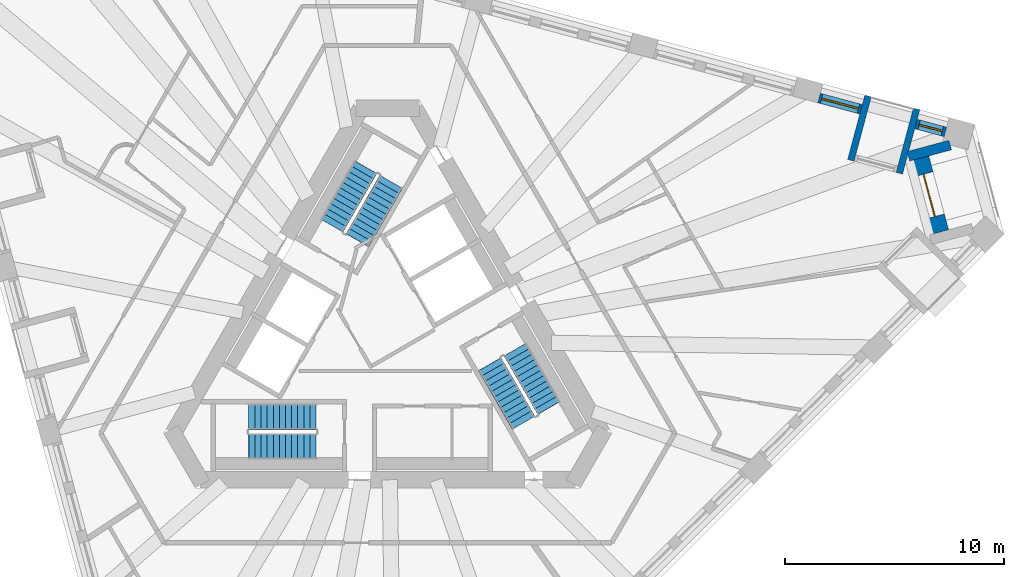
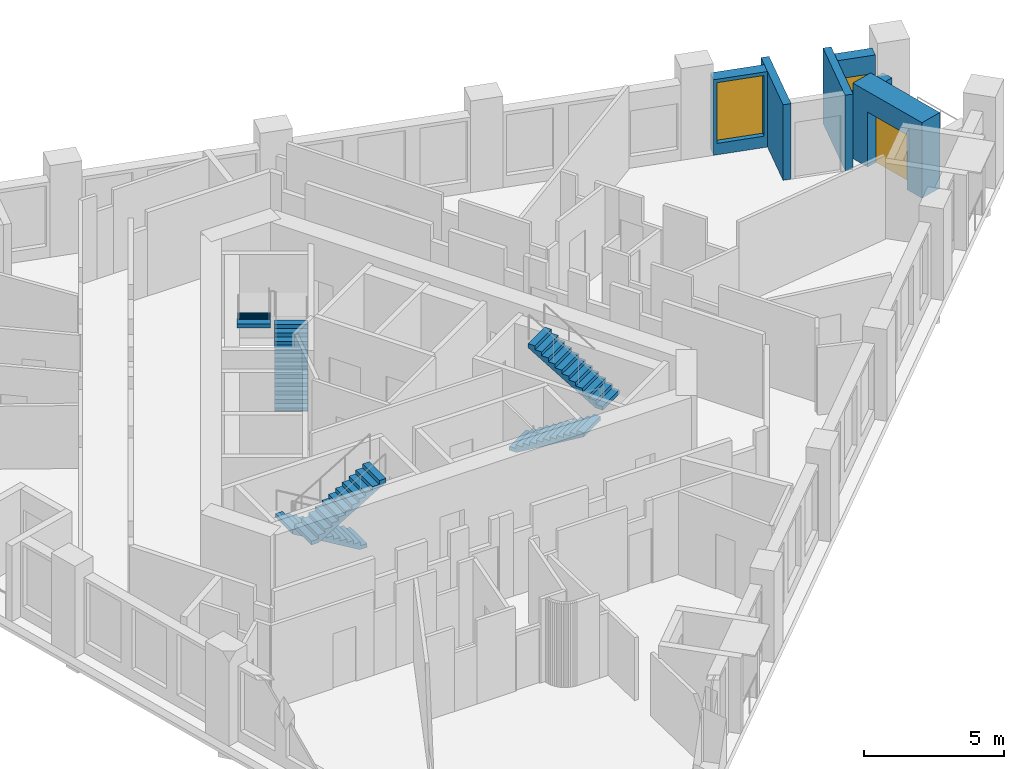
# One storey, part 9 of 13: 6 stair flights, 6 walls, 2 windows, 1 door, 3 openings, 3 elements without a shape of their own.
"""IFC4 building model written with IfcOpenShell, lengths in metres."""

from ifc_helpers import new_model, si_unit, direction, frame, frame_2d, origin, place, context, subcontext, project, spatial, polyline, rectangle, outline, extrude, material, layer, layer_set, type_object, element, fill, aggregate, save


model = new_model("IFC4")

# Units and contexts
model_context = context("Model", 3, precision=1e-05, world=origin(), true_north=direction((0.0, 1.0)))
body_context = subcontext(model_context, "Body", "Model", "MODEL_VIEW")
ifc_project = project(units=[si_unit("LENGTHUNIT", "METRE"), si_unit("AREAUNIT", "SQUARE_METRE"), si_unit("VOLUMEUNIT", "CUBIC_METRE"), si_unit("PLANEANGLEUNIT", "RADIAN"), si_unit("MASSUNIT", "GRAM", prefix="KILO")], contexts=[model_context])

# Site, building, storey
site_placement = place(None, origin())
site = spatial("IfcSite", under=ifc_project, at=site_placement, CompositionType="ELEMENT")
building_placement = place(site_placement, origin())
building = spatial("IfcBuilding", under=site, at=building_placement, Name="Tramontana Tower", CompositionType="ELEMENT")
storey_placement = place(building_placement, frame((0.0, 0.0, 216.0)))
storey = spatial("IfcBuildingStorey", under=building, at=storey_placement, Name="L50", CompositionType="ELEMENT", Elevation=216.0)

# Wall, opening, window
ifc_material_1 = material(Name="Precast concrete 60 MPa", Category="concrete")
ifc_layer_1 = layer(ifc_material_1, 0.449951171875)
ifc_layer_set_1 = layer_set([ifc_layer_1], Name="Precast concrete 60 MPa, 450 mm")
wall_type_1 = type_object("IfcWallType", Name="EW1 Stone-faced precast wall 450", PredefinedType="SOLIDWALL", material=ifc_layer_set_1)
wall_1_placement = place(storey_placement, frame((25.522705078125, 9.54443359375, 0.0), z_axis=(0.0, 0.0, 1.0), x_axis=(-0.965938699585, 0.258770996527, 0.0)))
wall_1 = element("IfcWall", 1, at=wall_1_placement, inside=storey, type_object=wall_type_1, Name="External wall L50 face 2 bay 1", PredefinedType="SOLIDWALL", context=body_context, shape_type="SweptSolid", body=[
    extrude(rectangle(XDim=1.398193359375, YDim=0.449951171875, at=frame_2d((0.69921875, 0.0))), origin(), (0.0, 0.0, 1.0), 3.300048828125),
])
opening_1_placement = place(wall_1_placement, frame((0.14892578125, 0.0, 0.5)))
opening_1 = element("IfcOpeningElement", 2, at=opening_1_placement, cuts=wall_1, Name="Opening N2L", PredefinedType="OPENING", context=body_context, shape_type="SweptSolid", body=[
    extrude(rectangle(XDim=1.10009765625, YDim=2.0, at=frame_2d((0.550048828125, 1.0))), frame((0.0, 0.23486328125, 0.0), z_axis=(0.0, -1.0, 0.0), x_axis=(1.0, 0.0, 0.0)), (0.0, 0.0, 1.0), 0.469970703125),
])
ifc_material_2 = material(Name="Aluminum frame, double glazing unit", Category="aluminium")
window_type_1 = type_object("IfcWindowType", Name="N2L Window 1.1 x 2", PartitioningType="SINGLE_PANEL", PredefinedType="WINDOW", material=ifc_material_2)
window_1_placement = place(opening_1_placement, origin())
window_1 = element("IfcWindow", 3, at=window_1_placement, inside=storey, type_object=window_type_1, Name="Window N2L L50 face 2 module 1", OverallHeight=2.0, OverallWidth=1.10009765625, PartitioningType="SINGLE_PANEL", PredefinedType="WINDOW", context=body_context, shape_type="SweptSolid", body=[
    extrude(rectangle(XDim=1.10009765625, YDim=2.0, at=frame_2d((0.550048828125, 1.0))), frame((0.0, 0.030029296875, 0.0), z_axis=(0.0, -1.0, 0.0), x_axis=(1.0, 0.0, 0.0)), (0.0, 0.0, 1.0), 0.06005859375),
])
fill(opening_1, window_1)

wall_2_placement = place(storey_placement, frame((21.66259765625, 10.578857421875, 0.0), z_axis=(0.0, 0.0, 1.0), x_axis=(-0.96593005298, 0.258803270362, 0.0)))
wall_2 = element("IfcWall", 4, at=wall_2_placement, inside=storey, type_object=wall_type_1, Name="External wall L50 face 2 bay 1", PredefinedType="SOLIDWALL", context=body_context, shape_type="SweptSolid", body=[
    extrude(rectangle(XDim=1.998046875, YDim=0.449951171875, at=frame_2d((0.9990234375, 0.0))), origin(), (0.0, 0.0, 1.0), 3.300048828125),
])
opening_2_placement = place(wall_2_placement, frame((0.1240234375, 0.0, 0.5)))
opening_2 = element("IfcOpeningElement", 5, at=opening_2_placement, cuts=wall_2, Name="Opening M2", PredefinedType="OPENING", context=body_context, shape_type="SweptSolid", body=[
    extrude(rectangle(XDim=1.75, YDim=2.64990234375, at=frame_2d((0.875, 1.324951171875))), frame((0.0, 0.23486328125, 0.0), z_axis=(0.0, -1.0, 0.0), x_axis=(1.0, 0.0, 0.0)), (0.0, 0.0, 1.0), 0.469970703125),
])
ifc_material_3 = material(Name="Aluminum frame, double glazing unit", Category="aluminium")
window_type_2 = type_object("IfcWindowType", Name="M2 Window 1.75 x 2.65", PartitioningType="SINGLE_PANEL", PredefinedType="WINDOW", material=ifc_material_3)
window_2_placement = place(opening_2_placement, origin())
window_2 = element("IfcWindow", 6, at=window_2_placement, inside=storey, type_object=window_type_2, Name="Window M2 L50 face 2 module 3", OverallHeight=2.64990234375, OverallWidth=1.75, PartitioningType="SINGLE_PANEL", PredefinedType="WINDOW", context=body_context, shape_type="SweptSolid", body=[
    extrude(rectangle(XDim=1.75, YDim=2.64990234375, at=frame_2d((0.875, 1.324951171875))), frame((0.0, 0.030029296875, 0.0), z_axis=(0.0, -1.0, 0.0), x_axis=(1.0, 0.0, 0.0)), (0.0, 0.0, 1.0), 0.06005859375),
])
fill(opening_2, window_2)

# Wall
wall_3_placement = place(storey_placement, frame((25.741943359375, 8.942138671875, 0.0), z_axis=(0.0, 0.0, 1.0), x_axis=(-0.965935388955, -0.258783354109, 0.0)))
element("IfcWall", 7, at=wall_3_placement, inside=storey, type_object=wall_type_1, Name="Corner loggia side wall L50 K52l", PredefinedType="SOLIDWALL", context=body_context, shape_type="SweptSolid", body=[
    extrude(rectangle(XDim=1.979248046875, YDim=0.449951171875, at=frame_2d((0.98974609375, 0.0))), origin(), (0.0, 0.0, 1.0), 2.550048828125),
])

# Wall, opening, door
ifc_material_4 = material(Name="Precast concrete 60 MPa", Category="concrete")
ifc_layer_2 = layer(ifc_material_4, 0.89990234375)
ifc_layer_set_2 = layer_set([ifc_layer_2], Name="EW2 Stone-faced corner loggia wall 900")
wall_type_2 = type_object("IfcWallType", Name="EW2 Stone-faced corner loggia wall 900", PredefinedType="SOLIDWALL", material=ifc_layer_set_2)
wall_4_placement = place(storey_placement, frame((24.322998046875, 8.3291015625, 0.0), z_axis=(0.0, 0.0, 1.0), x_axis=(0.258847652622, -0.965918160473, 0.0)))
wall_4 = element("IfcWall", 8, at=wall_4_placement, inside=storey, type_object=wall_type_2, Name="Corner loggia wall L50 K52", PredefinedType="SOLIDWALL", context=body_context, shape_type="SweptSolid", body=[
    extrude(rectangle(XDim=3.500244140625, YDim=0.89990234375, at=frame_2d((1.75, 0.0))), origin(), (0.0, 0.0, 1.0), 3.300048828125),
])
opening_3_placement = place(wall_4_placement, frame((0.75, 0.0, 0.0)))
opening_3 = element("IfcOpeningElement", 9, at=opening_3_placement, cuts=wall_4, Name="Opening BD-52C", PredefinedType="OPENING", context=body_context, shape_type="SweptSolid", body=[
    extrude(rectangle(XDim=2.0, YDim=2.39990234375, at=frame_2d((1.0, 1.199951171875))), frame((0.0, 0.4599609375, 0.0), z_axis=(0.0, -1.0, 0.0), x_axis=(1.0, 0.0, 0.0)), (0.0, 0.0, 1.0), 0.919921875),
])
ifc_material_5 = material(Name="Aluminum frame, double glazing unit", Category="aluminium")
door_type = type_object("IfcDoorType", Name="BC1 Sliding door 2 x 2.4", OperationType="SLIDING_TO_LEFT", PredefinedType="DOOR", material=ifc_material_5)
door_placement = place(opening_3_placement, origin())
door = element("IfcDoor", 10, at=door_placement, inside=storey, type_object=door_type, Name="Corner loggia door L50 K52", OperationType="SLIDING_TO_LEFT", OverallHeight=2.39990234375, OverallWidth=2.0, PredefinedType="DOOR", context=body_context, shape_type="SweptSolid", body=[
    extrude(rectangle(XDim=2.0, YDim=2.39990234375, at=frame_2d((1.0, 1.199951171875))), frame((0.0, 0.02490234375, 0.0), z_axis=(0.0, -1.0, 0.0), x_axis=(1.0, 0.0, 0.0)), (0.0, 0.0, 1.0), 0.050048828125),
])
fill(opening_3, door)

# Walls
ifc_material_6 = material(Name="Precast concrete 60 MPa", Category="concrete")
ifc_layer_3 = layer(ifc_material_6, 0.300048828125)
ifc_layer_set_3 = layer_set([ifc_layer_3], Name="LW1 Stone-faced loggia wall 300")
wall_type_3 = type_object("IfcWallType", Name="LW1 Stone-faced loggia wall 300", PredefinedType="SOLIDWALL", material=ifc_layer_set_3)
for number, where, z_axis, x_axis, name in (
    (11, (24.201904296875, 10.59716796875, 0.0), (0.0, 0.0, 1.0), (-0.258793435045, -0.965932688119, 0.0), "Loggia return L50 G5S2.1a"),
    (12, (21.982177734375, 11.19189453125, 0.0), (0.0, 0.0, 1.0), (-0.258793435045, -0.965932688119, 0.0), "Loggia return L50 G5S2.1b"),
):
    element("IfcWall", number, at=place(storey_placement, frame(where, z_axis=z_axis, x_axis=x_axis)), inside=storey, type_object=wall_type_3, Name=name, PredefinedType="SOLIDWALL", context=body_context, shape_type="SweptSolid", body=[
        extrude(rectangle(XDim=3.050048828125, YDim=0.300048828125, at=frame_2d((1.52490234375, 0.0))), origin(), (0.0, 0.0, 1.0), 3.300048828125),
    ])

# Stair, stair flights
ifc_material_7 = material(Name="Concrete 40 MPa", Category="concrete")
stair_type = type_object("IfcStairType", Name="EXIT STAIR 24 RISERS", PredefinedType="HALF_TURN_STAIR", material=ifc_material_7)
stair_1_placement = place(storey_placement, origin())
stair_1 = element("IfcStair", 13, at=stair_1_placement, inside=storey, type_object=stair_type, Name="L50 Exit stair ST1", PredefinedType="HALF_TURN_STAIR")
ifc_material_8 = material(Name="Concrete 40 MPa", Category="concrete")
ifc_layer_4 = layer(ifc_material_8, 0.14990234375)
ifc_layer_set_4 = layer_set([ifc_layer_4], Name="EXIT STAIR FLIGHT")
stair_flight_type = type_object("IfcStairFlightType", Name="EXIT STAIR FLIGHT", PredefinedType="STRAIGHT", material=ifc_layer_set_4)
stair_flight_1_placement = place(storey_placement, frame((-1.39111328125, 4.590576171875, 0.0), z_axis=(0.0, 0.0, 1.0), x_axis=(0.5, 0.866025403784, 0.0)))
stair_flight_1 = element("IfcStairFlight", 14, at=stair_flight_1_placement, type_object=stair_flight_type, Name="ST1 flight 1", NumberOfRisers=12, NumberOfTreads=11, PredefinedType="STRAIGHT", RiserHeight=0.166666667, TreadLength=0.28, context=body_context, shape_type="SweptSolid", body=[
    extrude(outline(polyline([(-0.006103515625, 0.0), (-0.006103515625, 0.0400390625), (0.0, 0.0400390625), (0.0, 0.166748046875), (0.280029296875, 0.166748046875), (0.280029296875, 0.333251953125), (0.56005859375, 0.333251953125), (0.56005859375, 0.5), (0.840087890625, 0.5), (0.840087890625, 0.666748046875), (1.1201171875, 0.666748046875), (1.1201171875, 0.833251953125), (1.39990234375, 0.833251953125), (1.39990234375, 1.0), (1.679931640625, 1.0), (1.679931640625, 1.166748046875), (1.9599609375, 1.166748046875), (1.9599609375, 1.333251953125), (2.239990234375, 1.333251953125), (2.239990234375, 1.5), (2.52001953125, 1.5), (2.52001953125, 1.666748046875), (2.800048828125, 1.666748046875), (2.800048828125, 1.833251953125), (3.080078125, 1.833251953125), (3.0859375, 1.833251953125), (3.0859375, 1.658935546875), (0.299072265625, 0.0), (-0.006103515625, 0.0)])), frame((0.0, 0.60009765625, 0.0), z_axis=(0.0, -1.0, 0.0), x_axis=(1.0, 0.0, 0.0)), (0.0, 0.0, 1.0), 1.199951171875),
])
stair_flight_2_placement = place(storey_placement, frame((-1.020263671875, 7.932861328125, 2.0), z_axis=(0.0, 0.0, 1.0), x_axis=(-0.5, -0.866025403784, 0.0)))
stair_flight_2 = element("IfcStairFlight", 15, at=stair_flight_2_placement, type_object=stair_flight_type, Name="ST1 flight 2", NumberOfRisers=12, NumberOfTreads=11, PredefinedType="STRAIGHT", RiserHeight=0.166666667, TreadLength=0.28, context=body_context, shape_type="SweptSolid", body=[
    extrude(outline(polyline([(-0.006103515625, 0.0), (-0.006103515625, 0.0400390625), (0.0, 0.0400390625), (0.0, 0.166748046875), (0.280029296875, 0.166748046875), (0.280029296875, 0.333251953125), (0.56005859375, 0.333251953125), (0.56005859375, 0.5), (0.840087890625, 0.5), (0.840087890625, 0.666748046875), (1.1201171875, 0.666748046875), (1.1201171875, 0.833251953125), (1.39990234375, 0.833251953125), (1.39990234375, 1.0), (1.679931640625, 1.0), (1.679931640625, 1.166748046875), (1.9599609375, 1.166748046875), (1.9599609375, 1.333251953125), (2.239990234375, 1.333251953125), (2.239990234375, 1.5), (2.52001953125, 1.5), (2.52001953125, 1.666748046875), (2.800048828125, 1.666748046875), (2.800048828125, 1.833251953125), (3.080078125, 1.833251953125), (3.0859375, 1.833251953125), (3.0859375, 1.658935546875), (0.299072265625, 0.0), (-0.006103515625, 0.0)])), frame((0.0, 0.60009765625, 0.0), z_axis=(0.0, -1.0, 0.0), x_axis=(1.0, 0.0, 0.0)), (0.0, 0.0, 1.0), 1.199951171875),
])
aggregate(stair_1, [stair_flight_1, stair_flight_2])

stair_2_placement = place(storey_placement, origin())
stair_2 = element("IfcStair", 16, at=stair_2_placement, inside=storey, type_object=stair_type, Name="L50 Exit stair ST2", PredefinedType="HALF_TURN_STAIR")
stair_flight_3_placement = place(storey_placement, frame((-3.280029296875, -3.5, 0.0), z_axis=(0.0, 0.0, 1.0), x_axis=(-1.0, 0.0, 0.0)))
stair_flight_3 = element("IfcStairFlight", 17, at=stair_flight_3_placement, type_object=stair_flight_type, Name="ST2 flight 1", NumberOfRisers=12, NumberOfTreads=11, PredefinedType="STRAIGHT", RiserHeight=0.166666667, TreadLength=0.28, context=body_context, shape_type="SweptSolid", body=[
    extrude(outline(polyline([(-0.006103515625, 0.0), (-0.006103515625, 0.0400390625), (0.0, 0.0400390625), (0.0, 0.166748046875), (0.280029296875, 0.166748046875), (0.280029296875, 0.333251953125), (0.56005859375, 0.333251953125), (0.56005859375, 0.5), (0.840087890625, 0.5), (0.840087890625, 0.666748046875), (1.1201171875, 0.666748046875), (1.1201171875, 0.833251953125), (1.39990234375, 0.833251953125), (1.39990234375, 1.0), (1.679931640625, 1.0), (1.679931640625, 1.166748046875), (1.9599609375, 1.166748046875), (1.9599609375, 1.333251953125), (2.239990234375, 1.333251953125), (2.239990234375, 1.5), (2.52001953125, 1.5), (2.52001953125, 1.666748046875), (2.800048828125, 1.666748046875), (2.800048828125, 1.833251953125), (3.080078125, 1.833251953125), (3.0859375, 1.833251953125), (3.0859375, 1.658935546875), (0.299072265625, 0.0), (-0.006103515625, 0.0)])), frame((0.0, 0.60009765625, 0.0), z_axis=(0.0, -1.0, 0.0), x_axis=(1.0, 0.0, 0.0)), (0.0, 0.0, 1.0), 1.199951171875),
])
stair_flight_4_placement = place(storey_placement, frame((-6.360107421875, -4.85009765625, 2.0), z_axis=(0.0, 0.0, 1.0), x_axis=(1.0, 0.0, 0.0)))
stair_flight_4 = element("IfcStairFlight", 18, at=stair_flight_4_placement, type_object=stair_flight_type, Name="ST2 flight 2", NumberOfRisers=12, NumberOfTreads=11, PredefinedType="STRAIGHT", RiserHeight=0.166666667, TreadLength=0.28, context=body_context, shape_type="SweptSolid", body=[
    extrude(outline(polyline([(-0.006103515625, 0.0), (-0.006103515625, 0.0400390625), (0.0, 0.0400390625), (0.0, 0.166748046875), (0.280029296875, 0.166748046875), (0.280029296875, 0.333251953125), (0.56005859375, 0.333251953125), (0.56005859375, 0.5), (0.840087890625, 0.5), (0.840087890625, 0.666748046875), (1.1201171875, 0.666748046875), (1.1201171875, 0.833251953125), (1.39990234375, 0.833251953125), (1.39990234375, 1.0), (1.679931640625, 1.0), (1.679931640625, 1.166748046875), (1.9599609375, 1.166748046875), (1.9599609375, 1.333251953125), (2.239990234375, 1.333251953125), (2.239990234375, 1.5), (2.52001953125, 1.5), (2.52001953125, 1.666748046875), (2.800048828125, 1.666748046875), (2.800048828125, 1.833251953125), (3.080078125, 1.833251953125), (3.0859375, 1.833251953125), (3.0859375, 1.658935546875), (0.299072265625, 0.0), (-0.006103515625, 0.0)])), frame((0.0, 0.60009765625, 0.0), z_axis=(0.0, -1.0, 0.0), x_axis=(1.0, 0.0, 0.0)), (0.0, 0.0, 1.0), 1.199951171875),
])
aggregate(stair_2, [stair_flight_3, stair_flight_4])

stair_3_placement = place(storey_placement, origin())
stair_3 = element("IfcStair", 19, at=stair_3_placement, inside=storey, type_object=stair_type, Name="L50 Exit stair ST3", PredefinedType="HALF_TURN_STAIR")
stair_flight_5_placement = place(storey_placement, frame((4.671142578125, -1.090576171875, 0.0), z_axis=(0.0, 0.0, 1.0), x_axis=(0.5, -0.866025403784, 0.0)))
stair_flight_5 = element("IfcStairFlight", 20, at=stair_flight_5_placement, type_object=stair_flight_type, Name="ST3 flight 1", NumberOfRisers=12, NumberOfTreads=11, PredefinedType="STRAIGHT", RiserHeight=0.166666667, TreadLength=0.28, context=body_context, shape_type="SweptSolid", body=[
    extrude(outline(polyline([(-0.006103515625, 0.0), (-0.006103515625, 0.0400390625), (0.0, 0.0400390625), (0.0, 0.166748046875), (0.280029296875, 0.166748046875), (0.280029296875, 0.333251953125), (0.56005859375, 0.333251953125), (0.56005859375, 0.5), (0.840087890625, 0.5), (0.840087890625, 0.666748046875), (1.1201171875, 0.666748046875), (1.1201171875, 0.833251953125), (1.39990234375, 0.833251953125), (1.39990234375, 1.0), (1.679931640625, 1.0), (1.679931640625, 1.166748046875), (1.9599609375, 1.166748046875), (1.9599609375, 1.333251953125), (2.239990234375, 1.333251953125), (2.239990234375, 1.5), (2.52001953125, 1.5), (2.52001953125, 1.666748046875), (2.800048828125, 1.666748046875), (2.800048828125, 1.833251953125), (3.080078125, 1.833251953125), (3.0859375, 1.833251953125), (3.0859375, 1.658935546875), (0.299072265625, 0.0), (-0.006103515625, 0.0)])), frame((0.0, 0.60009765625, 0.0), z_axis=(0.0, -1.0, 0.0), x_axis=(1.0, 0.0, 0.0)), (0.0, 0.0, 1.0), 1.199951171875),
])
stair_flight_6_placement = place(storey_placement, frame((7.380126953125, -3.0830078125, 2.0), z_axis=(0.0, 0.0, 1.0), x_axis=(-0.5, 0.866025403784, 0.0)))
stair_flight_6 = element("IfcStairFlight", 21, at=stair_flight_6_placement, type_object=stair_flight_type, Name="ST3 flight 2", NumberOfRisers=12, NumberOfTreads=11, PredefinedType="STRAIGHT", RiserHeight=0.166666667, TreadLength=0.28, context=body_context, shape_type="SweptSolid", body=[
    extrude(outline(polyline([(-0.006103515625, 0.0), (-0.006103515625, 0.0400390625), (0.0, 0.0400390625), (0.0, 0.166748046875), (0.280029296875, 0.166748046875), (0.280029296875, 0.333251953125), (0.56005859375, 0.333251953125), (0.56005859375, 0.5), (0.840087890625, 0.5), (0.840087890625, 0.666748046875), (1.1201171875, 0.666748046875), (1.1201171875, 0.833251953125), (1.39990234375, 0.833251953125), (1.39990234375, 1.0), (1.679931640625, 1.0), (1.679931640625, 1.166748046875), (1.9599609375, 1.166748046875), (1.9599609375, 1.333251953125), (2.239990234375, 1.333251953125), (2.239990234375, 1.5), (2.52001953125, 1.5), (2.52001953125, 1.666748046875), (2.800048828125, 1.666748046875), (2.800048828125, 1.833251953125), (3.080078125, 1.833251953125), (3.0859375, 1.833251953125), (3.0859375, 1.658935546875), (0.299072265625, 0.0), (-0.006103515625, 0.0)])), frame((0.0, 0.60009765625, 0.0), z_axis=(0.0, -1.0, 0.0), x_axis=(1.0, 0.0, 0.0)), (0.0, 0.0, 1.0), 1.199951171875),
])
aggregate(stair_3, [stair_flight_5, stair_flight_6])

save(model, "model.ifc")
